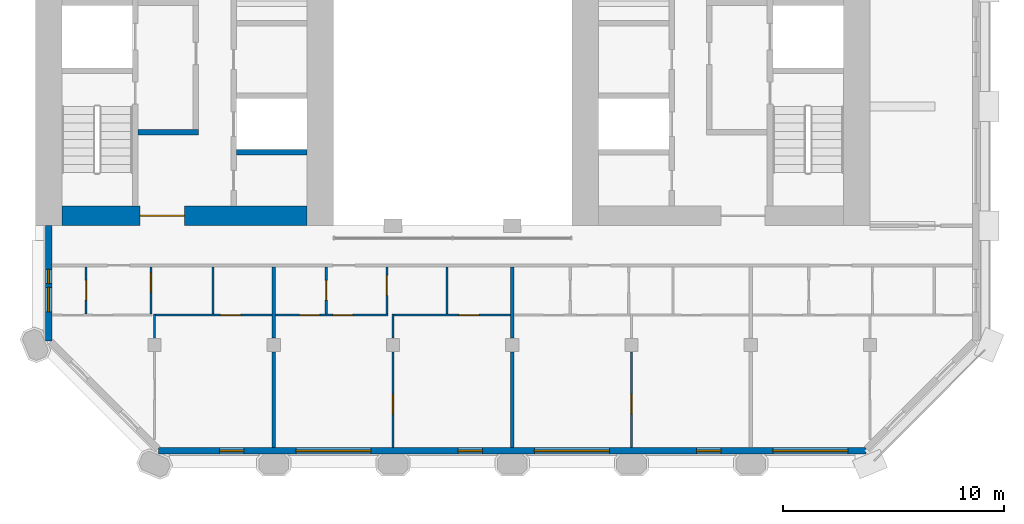
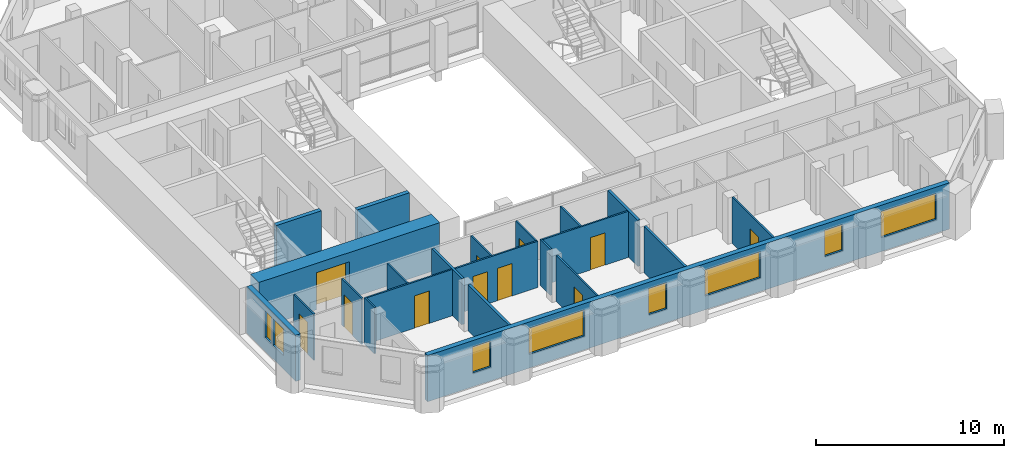
# One storey, part 4 of 13: 22 walls, 11 doors, 8 windows, 19 openings.
"""IFC4 building model written with IfcOpenShell, lengths in metres."""

from ifc_helpers import new_model, si_unit, direction, frame, frame_2d, origin, place, context, subcontext, project, spatial, rectangle, extrude, material, layer, layer_set, type_object, element, fill, save


model = new_model("IFC4")

# Units and contexts
model_context = context("Model", 3, precision=1e-05, world=origin(), true_north=direction((0.0, 1.0)))
body_context = subcontext(model_context, "Body", "Model", "MODEL_VIEW")
ifc_project = project(units=[si_unit("LENGTHUNIT", "METRE"), si_unit("AREAUNIT", "SQUARE_METRE"), si_unit("VOLUMEUNIT", "CUBIC_METRE"), si_unit("PLANEANGLEUNIT", "RADIAN"), si_unit("MASSUNIT", "GRAM", prefix="KILO")], contexts=[model_context])

# Site, building, storey
site_placement = place(None, origin())
site = spatial("IfcSite", under=ifc_project, at=site_placement, CompositionType="ELEMENT")
building_placement = place(site_placement, origin())
building = spatial("IfcBuilding", under=site, at=building_placement, Name="Tabaq Tower and Sports Hall", CompositionType="ELEMENT")
storey_placement = place(building_placement, frame((0.0, 0.0, 298.300048828125)))
storey = spatial("IfcBuildingStorey", under=building, at=storey_placement, Name="L74", CompositionType="ELEMENT", Elevation=298.300048828125)

# Wall, opening, door
ifc_material_1 = material(Name="Concrete C40/50", Category="concrete")
ifc_layer_1 = layer(ifc_material_1, 0.89990234375)
ifc_layer_set_1 = layer_set([ifc_layer_1], Name="Core wall 900 Concrete C40/50")
wall_type_1 = type_object("IfcWallType", Name="Core wall 900 Concrete C40/50", PredefinedType="SOLIDWALL", material=ifc_layer_set_1)
wall_1_placement = place(storey_placement, frame((17.699951171875, 16.64990234375, 0.0), z_axis=(0.0, 0.0, 1.0), x_axis=(-1.0, 0.0, 0.0)))
wall_1 = element("IfcWall", 1, at=wall_1_placement, inside=storey, type_object=wall_type_1, Name="Core wall W L74", PredefinedType="SOLIDWALL", context=body_context, shape_type="SweptSolid", body=[
    extrude(rectangle(XDim=11.099853515625, YDim=0.89990234375, at=frame_2d((5.5498046875, 0.0))), origin(), (0.0, 0.0, 1.0), 3.0),
])
opening_1_placement = place(wall_1_placement, frame((5.550048828125, 0.0, 0.0)))
opening_1 = element("IfcOpeningElement", 2, at=opening_1_placement, cuts=wall_1, Name="Opening PD-WL74-01", PredefinedType="OPENING", context=body_context, shape_type="SweptSolid", body=[
    extrude(rectangle(XDim=2.0, YDim=2.39990234375, at=frame_2d((1.0, 1.199951171875))), frame((0.0, 0.449951171875, 0.0), z_axis=(0.0, -1.0, 0.0), x_axis=(1.0, 0.0, 0.0)), (0.0, 0.0, 1.0), 0.89990234375),
])
ifc_material_2 = material(Name="Steel fire door", Category="steel")
door_type_1 = type_object("IfcDoorType", Name="Core entrance door 2000", OperationType="DOUBLE_DOOR_SINGLE_SWING", PredefinedType="DOOR", material=ifc_material_2)
door_1_placement = place(opening_1_placement, origin())
door_1 = element("IfcDoor", 3, at=door_1_placement, inside=storey, type_object=door_type_1, Name="Core entrance south W L74", OperationType="DOUBLE_DOOR_SINGLE_SWING", OverallHeight=2.39990234375, OverallWidth=2.0, PredefinedType="DOOR", context=body_context, shape_type="SweptSolid", body=[
    extrude(rectangle(XDim=2.0, YDim=2.39990234375, at=frame_2d((1.0, 1.199951171875))), frame((0.0, 0.02490234375, 0.0), z_axis=(0.0, -1.0, 0.0), x_axis=(1.0, 0.0, 0.0)), (0.0, 0.0, 1.0), 0.050048828125),
])
fill(opening_1, door_1)

# Wall
ifc_material_3 = material(Name="Gypsum board on steel studs", Category="steel")
ifc_layer_2 = layer(ifc_material_3, 0.10009765625)
ifc_layer_set_2 = layer_set([ifc_layer_2], Name="Partition 100 Gypsum board")
wall_type_2 = type_object("IfcWallType", Name="Partition 100 Gypsum board", PredefinedType="PARTITIONING", material=ifc_layer_set_2)
wall_2_placement = place(storey_placement, frame((10.800048828125, 11.1201171875, 0.0), z_axis=(0.0, 0.0, 1.0), x_axis=(0.0, 1.0, 0.0)))
element("IfcWall", 4, at=wall_2_placement, inside=storey, type_object=wall_type_2, Name="Partition wall L74", PredefinedType="PARTITIONING", context=body_context, shape_type="SweptSolid", body=[
    extrude(rectangle(XDim=1.079833984375, YDim=0.10009765625, at=frame_2d((0.5400390625, 0.0))), origin(), (0.0, 0.0, 1.0), 3.0),
])

# Wall, opening, door
wall_3_placement = place(storey_placement, frame((16.125, 12.14990234375, 0.0), z_axis=(0.0, 0.0, 1.0), x_axis=(-1.0, 0.0, 0.0)))
wall_3 = element("IfcWall", 5, at=wall_3_placement, inside=storey, type_object=wall_type_2, Name="Partition wall L74", PredefinedType="PARTITIONING", context=body_context, shape_type="SweptSolid", body=[
    extrude(rectangle(XDim=5.27490234375, YDim=0.10009765625, at=frame_2d((2.637451171875, 0.0))), origin(), (0.0, 0.0, 1.0), 3.0),
])
opening_2_placement = place(wall_3_placement, frame((1.429931640625, 0.0, 0.0)))
opening_2 = element("IfcOpeningElement", 6, at=opening_2_placement, cuts=wall_3, Name="Opening L74-019", PredefinedType="OPENING", context=body_context, shape_type="SweptSolid", body=[
    extrude(rectangle(XDim=0.89990234375, YDim=2.10009765625, at=frame_2d((0.449951171875, 1.050048828125))), frame((0.0, 0.050048828125, 0.0), z_axis=(0.0, -1.0, 0.0), x_axis=(1.0, 0.0, 0.0)), (0.0, 0.0, 1.0), 0.10009765625),
])
ifc_material_4 = material(Name="Timber leaf in steel frame", Category="steel")
door_type_2 = type_object("IfcDoorType", Name="Internal door 900 left hand", OperationType="SINGLE_SWING_LEFT", PredefinedType="DOOR", material=ifc_material_4)
door_2_placement = place(opening_2_placement, origin())
door_2 = element("IfcDoor", 7, at=door_2_placement, inside=storey, type_object=door_type_2, Name="Internal door L74-019", OperationType="SINGLE_SWING_LEFT", OverallHeight=2.10009765625, OverallWidth=0.89990234375, PredefinedType="DOOR", context=body_context, shape_type="SweptSolid", body=[
    extrude(rectangle(XDim=0.89990234375, YDim=2.10009765625, at=frame_2d((0.449951171875, 1.050048828125))), frame((0.0, 0.02490234375, 0.0), z_axis=(0.0, -1.0, 0.0), x_axis=(1.0, 0.0, 0.0)), (0.0, 0.0, 1.0), 0.050048828125),
])
fill(opening_2, door_2)

wall_4_placement = place(storey_placement, frame((7.699951171875, 12.199951171875, 0.0), z_axis=(0.0, 0.0, 1.0), x_axis=(0.0, 1.0, 0.0)))
wall_4 = element("IfcWall", 8, at=wall_4_placement, inside=storey, type_object=wall_type_2, Name="Partition wall L74", PredefinedType="PARTITIONING", context=body_context, shape_type="SweptSolid", body=[
    extrude(rectangle(XDim=2.125, YDim=0.10009765625, at=frame_2d((1.0625, 0.0))), origin(), (0.0, 0.0, 1.0), 3.0),
])
opening_3_placement = place(wall_4_placement, frame((0.625, 0.0, 0.0)))
opening_3 = element("IfcOpeningElement", 9, at=opening_3_placement, cuts=wall_4, Name="Opening L74-041", PredefinedType="OPENING", context=body_context, shape_type="SweptSolid", body=[
    extrude(rectangle(XDim=0.89990234375, YDim=2.10009765625, at=frame_2d((0.449951171875, 1.050048828125))), frame((0.0, 0.050048828125, 0.0), z_axis=(0.0, -1.0, 0.0), x_axis=(1.0, 0.0, 0.0)), (0.0, 0.0, 1.0), 0.10009765625),
])
ifc_material_5 = material(Name="Timber leaf in steel frame", Category="steel")
door_type_3 = type_object("IfcDoorType", Name="Internal door 900 right hand", OperationType="SINGLE_SWING_RIGHT", PredefinedType="DOOR", material=ifc_material_5)
door_3_placement = place(opening_3_placement, origin())
door_3 = element("IfcDoor", 10, at=door_3_placement, inside=storey, type_object=door_type_3, Name="Internal door L74-041", OperationType="SINGLE_SWING_RIGHT", OverallHeight=2.10009765625, OverallWidth=0.89990234375, PredefinedType="DOOR", context=body_context, shape_type="SweptSolid", body=[
    extrude(rectangle(XDim=0.89990234375, YDim=2.10009765625, at=frame_2d((0.449951171875, 1.050048828125))), frame((0.0, 0.02490234375, 0.0), z_axis=(0.0, -1.0, 0.0), x_axis=(1.0, 0.0, 0.0)), (0.0, 0.0, 1.0), 0.050048828125),
])
fill(opening_3, door_3)

wall_5_placement = place(storey_placement, frame((10.639892578125, 12.199951171875, 0.0), z_axis=(0.0, 0.0, 1.0), x_axis=(0.0, 1.0, 0.0)))
wall_5 = element("IfcWall", 11, at=wall_5_placement, inside=storey, type_object=wall_type_2, Name="Partition wall L74", PredefinedType="PARTITIONING", context=body_context, shape_type="SweptSolid", body=[
    extrude(rectangle(XDim=2.125, YDim=0.10009765625, at=frame_2d((1.0625, 0.0))), origin(), (0.0, 0.0, 1.0), 3.0),
])
opening_4_placement = place(wall_5_placement, frame((0.97509765625, 0.0, 0.0)))
opening_4 = element("IfcOpeningElement", 12, at=opening_4_placement, cuts=wall_5, Name="Opening L74-020", PredefinedType="OPENING", context=body_context, shape_type="SweptSolid", body=[
    extrude(rectangle(XDim=0.89990234375, YDim=2.10009765625, at=frame_2d((0.449951171875, 1.050048828125))), frame((0.0, 0.050048828125, 0.0), z_axis=(0.0, -1.0, 0.0), x_axis=(1.0, 0.0, 0.0)), (0.0, 0.0, 1.0), 0.10009765625),
])
door_4_placement = place(opening_4_placement, origin())
door_4 = element("IfcDoor", 13, at=door_4_placement, inside=storey, type_object=door_type_3, Name="Internal door L74-020", OperationType="SINGLE_SWING_RIGHT", OverallHeight=2.10009765625, OverallWidth=0.89990234375, PredefinedType="DOOR", context=body_context, shape_type="SweptSolid", body=[
    extrude(rectangle(XDim=0.89990234375, YDim=2.10009765625, at=frame_2d((0.449951171875, 1.050048828125))), frame((0.0, 0.02490234375, 0.0), z_axis=(0.0, -1.0, 0.0), x_axis=(1.0, 0.0, 0.0)), (0.0, 0.0, 1.0), 0.050048828125),
])
fill(opening_4, door_4)

# Wall
wall_6_placement = place(storey_placement, frame((13.43994140625, 12.199951171875, 0.0), z_axis=(0.0, 0.0, 1.0), x_axis=(0.0, 1.0, 0.0)))
element("IfcWall", 14, at=wall_6_placement, inside=storey, type_object=wall_type_2, Name="Partition wall L74", PredefinedType="PARTITIONING", context=body_context, shape_type="SweptSolid", body=[
    extrude(rectangle(XDim=2.125, YDim=0.10009765625, at=frame_2d((1.0625, 0.0))), origin(), (0.0, 0.0, 1.0), 3.0),
])

# Wall, opening, door
wall_7_placement = place(storey_placement, frame((21.60009765625, 6.15087890625, 0.0), z_axis=(0.0, 0.0, 1.0), x_axis=(0.0, 1.0, 0.0)))
wall_7 = element("IfcWall", 15, at=wall_7_placement, inside=storey, type_object=wall_type_2, Name="Partition wall L74", PredefinedType="PARTITIONING", context=body_context, shape_type="SweptSolid", body=[
    extrude(rectangle(XDim=4.3291015625, YDim=0.10009765625, at=frame_2d((2.16455078125, 0.0))), origin(), (0.0, 0.0, 1.0), 3.0),
])
opening_5_placement = place(wall_7_placement, frame((1.51806640625, 0.0, 0.0)))
opening_5 = element("IfcOpeningElement", 16, at=opening_5_placement, cuts=wall_7, Name="Opening L74-042", PredefinedType="OPENING", context=body_context, shape_type="SweptSolid", body=[
    extrude(rectangle(XDim=0.89990234375, YDim=2.10009765625, at=frame_2d((0.449951171875, 1.050048828125))), frame((0.0, 0.050048828125, 0.0), z_axis=(0.0, -1.0, 0.0), x_axis=(1.0, 0.0, 0.0)), (0.0, 0.0, 1.0), 0.10009765625),
])
door_5_placement = place(opening_5_placement, origin())
door_5 = element("IfcDoor", 17, at=door_5_placement, inside=storey, type_object=door_type_3, Name="Internal door L74-042", OperationType="SINGLE_SWING_RIGHT", OverallHeight=2.10009765625, OverallWidth=0.89990234375, PredefinedType="DOOR", context=body_context, shape_type="SweptSolid", body=[
    extrude(rectangle(XDim=0.89990234375, YDim=2.10009765625, at=frame_2d((0.449951171875, 1.050048828125))), frame((0.0, 0.02490234375, 0.0), z_axis=(0.0, -1.0, 0.0), x_axis=(1.0, 0.0, 0.0)), (0.0, 0.0, 1.0), 0.050048828125),
])
fill(opening_5, door_5)

# Wall
wall_8_placement = place(storey_placement, frame((21.60009765625, 11.1201171875, 0.0), z_axis=(0.0, 0.0, 1.0), x_axis=(0.0, 1.0, 0.0)))
element("IfcWall", 18, at=wall_8_placement, inside=storey, type_object=wall_type_2, Name="Partition wall L74", PredefinedType="PARTITIONING", context=body_context, shape_type="SweptSolid", body=[
    extrude(rectangle(XDim=1.079833984375, YDim=0.10009765625, at=frame_2d((0.5400390625, 0.0))), origin(), (0.0, 0.0, 1.0), 3.0),
])

# Wall, openings, doors
wall_9_placement = place(storey_placement, frame((21.3720703125, 12.14990234375, 0.0), z_axis=(0.0, 0.0, 1.0), x_axis=(-1.0, 0.0, 0.0)))
wall_9 = element("IfcWall", 19, at=wall_9_placement, inside=storey, type_object=wall_type_2, Name="Partition wall L74", PredefinedType="PARTITIONING", context=body_context, shape_type="SweptSolid", body=[
    extrude(rectangle(XDim=5.09716796875, YDim=0.10009765625, at=frame_2d((2.548583984375, 0.0))), origin(), (0.0, 0.0, 1.0), 3.0),
])
opening_6_placement = place(wall_9_placement, frame((3.10009765625, 0.0, 0.0)))
opening_6 = element("IfcOpeningElement", 20, at=opening_6_placement, cuts=wall_9, Name="Opening L74-043", PredefinedType="OPENING", context=body_context, shape_type="SweptSolid", body=[
    extrude(rectangle(XDim=0.89990234375, YDim=2.10009765625, at=frame_2d((0.449951171875, 1.050048828125))), frame((0.0, 0.050048828125, 0.0), z_axis=(0.0, -1.0, 0.0), x_axis=(1.0, 0.0, 0.0)), (0.0, 0.0, 1.0), 0.10009765625),
])
opening_7_placement = place(wall_9_placement, frame((1.60009765625, 0.0, 0.0)))
opening_7 = element("IfcOpeningElement", 21, at=opening_7_placement, cuts=wall_9, Name="Opening L74-056", PredefinedType="OPENING", context=body_context, shape_type="SweptSolid", body=[
    extrude(rectangle(XDim=0.89990234375, YDim=2.10009765625, at=frame_2d((0.449951171875, 1.050048828125))), frame((0.0, 0.050048828125, 0.0), z_axis=(0.0, -1.0, 0.0), x_axis=(1.0, 0.0, 0.0)), (0.0, 0.0, 1.0), 0.10009765625),
])
door_6_placement = place(opening_7_placement, origin())
door_6 = element("IfcDoor", 22, at=door_6_placement, inside=storey, type_object=door_type_2, Name="Internal door L74-056", OperationType="SINGLE_SWING_LEFT", OverallHeight=2.10009765625, OverallWidth=0.89990234375, PredefinedType="DOOR", context=body_context, shape_type="SweptSolid", body=[
    extrude(rectangle(XDim=0.89990234375, YDim=2.10009765625, at=frame_2d((0.449951171875, 1.050048828125))), frame((0.0, 0.02490234375, 0.0), z_axis=(0.0, -1.0, 0.0), x_axis=(1.0, 0.0, 0.0)), (0.0, 0.0, 1.0), 0.050048828125),
])
fill(opening_7, door_6)
door_7_placement = place(opening_6_placement, origin())
door_7 = element("IfcDoor", 23, at=door_7_placement, inside=storey, type_object=door_type_3, Name="Internal door L74-043", OperationType="SINGLE_SWING_RIGHT", OverallHeight=2.10009765625, OverallWidth=0.89990234375, PredefinedType="DOOR", context=body_context, shape_type="SweptSolid", body=[
    extrude(rectangle(XDim=0.89990234375, YDim=2.10009765625, at=frame_2d((0.449951171875, 1.050048828125))), frame((0.0, 0.02490234375, 0.0), z_axis=(0.0, -1.0, 0.0), x_axis=(1.0, 0.0, 0.0)), (0.0, 0.0, 1.0), 0.050048828125),
])
fill(opening_6, door_7)

# Wall, opening, door
wall_10_placement = place(storey_placement, frame((26.925048828125, 12.14990234375, 0.0), z_axis=(0.0, 0.0, 1.0), x_axis=(-1.0, 0.0, 0.0)))
wall_10 = element("IfcWall", 24, at=wall_10_placement, inside=storey, type_object=wall_type_2, Name="Partition wall L74", PredefinedType="PARTITIONING", context=body_context, shape_type="SweptSolid", body=[
    extrude(rectangle(XDim=5.275146484375, YDim=0.10009765625, at=frame_2d((2.6376953125, 0.0))), origin(), (0.0, 0.0, 1.0), 3.0),
])
opening_8_placement = place(wall_10_placement, frame((1.441650390625, 0.0, 0.0)))
opening_8 = element("IfcOpeningElement", 25, at=opening_8_placement, cuts=wall_10, Name="Opening L74-021", PredefinedType="OPENING", context=body_context, shape_type="SweptSolid", body=[
    extrude(rectangle(XDim=0.89990234375, YDim=2.10009765625, at=frame_2d((0.449951171875, 1.050048828125))), frame((0.0, 0.050048828125, 0.0), z_axis=(0.0, -1.0, 0.0), x_axis=(1.0, 0.0, 0.0)), (0.0, 0.0, 1.0), 0.10009765625),
])
door_8_placement = place(opening_8_placement, origin())
door_8 = element("IfcDoor", 26, at=door_8_placement, inside=storey, type_object=door_type_2, Name="Internal door L74-021", OperationType="SINGLE_SWING_LEFT", OverallHeight=2.10009765625, OverallWidth=0.89990234375, PredefinedType="DOOR", context=body_context, shape_type="SweptSolid", body=[
    extrude(rectangle(XDim=0.89990234375, YDim=2.10009765625, at=frame_2d((0.449951171875, 1.050048828125))), frame((0.0, 0.02490234375, 0.0), z_axis=(0.0, -1.0, 0.0), x_axis=(1.0, 0.0, 0.0)), (0.0, 0.0, 1.0), 0.050048828125),
])
fill(opening_8, door_8)

wall_11_placement = place(storey_placement, frame((18.572021484375, 12.199951171875, 0.0), z_axis=(0.0, 0.0, 1.0), x_axis=(0.0, 1.0, 0.0)))
wall_11 = element("IfcWall", 27, at=wall_11_placement, inside=storey, type_object=wall_type_2, Name="Partition wall L74", PredefinedType="PARTITIONING", context=body_context, shape_type="SweptSolid", body=[
    extrude(rectangle(XDim=2.125, YDim=0.10009765625, at=frame_2d((1.0625, 0.0))), origin(), (0.0, 0.0, 1.0), 3.0),
])
opening_9_placement = place(wall_11_placement, frame((0.625, 0.0, 0.0)))
opening_9 = element("IfcOpeningElement", 28, at=opening_9_placement, cuts=wall_11, Name="Opening L74-044", PredefinedType="OPENING", context=body_context, shape_type="SweptSolid", body=[
    extrude(rectangle(XDim=0.89990234375, YDim=2.10009765625, at=frame_2d((0.449951171875, 1.050048828125))), frame((0.0, 0.050048828125, 0.0), z_axis=(0.0, -1.0, 0.0), x_axis=(1.0, 0.0, 0.0)), (0.0, 0.0, 1.0), 0.10009765625),
])
door_9_placement = place(opening_9_placement, origin())
door_9 = element("IfcDoor", 29, at=door_9_placement, inside=storey, type_object=door_type_2, Name="Internal door L74-044", OperationType="SINGLE_SWING_LEFT", OverallHeight=2.10009765625, OverallWidth=0.89990234375, PredefinedType="DOOR", context=body_context, shape_type="SweptSolid", body=[
    extrude(rectangle(XDim=0.89990234375, YDim=2.10009765625, at=frame_2d((0.449951171875, 1.050048828125))), frame((0.0, 0.02490234375, 0.0), z_axis=(0.0, -1.0, 0.0), x_axis=(1.0, 0.0, 0.0)), (0.0, 0.0, 1.0), 0.050048828125),
])
fill(opening_9, door_9)

wall_12_placement = place(storey_placement, frame((21.322021484375, 12.199951171875, 0.0), z_axis=(0.0, 0.0, 1.0), x_axis=(0.0, 1.0, 0.0)))
wall_12 = element("IfcWall", 30, at=wall_12_placement, inside=storey, type_object=wall_type_2, Name="Partition wall L74", PredefinedType="PARTITIONING", context=body_context, shape_type="SweptSolid", body=[
    extrude(rectangle(XDim=2.125, YDim=0.10009765625, at=frame_2d((1.0625, 0.0))), origin(), (0.0, 0.0, 1.0), 3.0),
])
opening_10_placement = place(wall_12_placement, frame((0.843994140625, 0.0, 0.0)))
opening_10 = element("IfcOpeningElement", 31, at=opening_10_placement, cuts=wall_12, Name="Opening L74-022", PredefinedType="OPENING", context=body_context, shape_type="SweptSolid", body=[
    extrude(rectangle(XDim=0.89990234375, YDim=2.10009765625, at=frame_2d((0.449951171875, 1.050048828125))), frame((0.0, 0.050048828125, 0.0), z_axis=(0.0, -1.0, 0.0), x_axis=(1.0, 0.0, 0.0)), (0.0, 0.0, 1.0), 0.10009765625),
])
door_10_placement = place(opening_10_placement, origin())
door_10 = element("IfcDoor", 32, at=door_10_placement, inside=storey, type_object=door_type_2, Name="Internal door L74-022", OperationType="SINGLE_SWING_LEFT", OverallHeight=2.10009765625, OverallWidth=0.89990234375, PredefinedType="DOOR", context=body_context, shape_type="SweptSolid", body=[
    extrude(rectangle(XDim=0.89990234375, YDim=2.10009765625, at=frame_2d((0.449951171875, 1.050048828125))), frame((0.0, 0.02490234375, 0.0), z_axis=(0.0, -1.0, 0.0), x_axis=(1.0, 0.0, 0.0)), (0.0, 0.0, 1.0), 0.050048828125),
])
fill(opening_10, door_10)

# Wall
wall_13_placement = place(storey_placement, frame((24.050048828125, 12.199951171875, 0.0), z_axis=(0.0, 0.0, 1.0), x_axis=(0.0, 1.0, 0.0)))
element("IfcWall", 33, at=wall_13_placement, inside=storey, type_object=wall_type_2, Name="Partition wall L74", PredefinedType="PARTITIONING", context=body_context, shape_type="SweptSolid", body=[
    extrude(rectangle(XDim=2.125, YDim=0.10009765625, at=frame_2d((1.0625, 0.0))), origin(), (0.0, 0.0, 1.0), 3.0),
])

# Wall, opening, door
wall_14_placement = place(storey_placement, frame((32.39990234375, 6.15087890625, 0.0), z_axis=(0.0, 0.0, 1.0), x_axis=(0.0, 1.0, 0.0)))
wall_14 = element("IfcWall", 34, at=wall_14_placement, inside=storey, type_object=wall_type_2, Name="Partition wall L74", PredefinedType="PARTITIONING", context=body_context, shape_type="SweptSolid", body=[
    extrude(rectangle(XDim=4.3291015625, YDim=0.10009765625, at=frame_2d((2.16455078125, 0.0))), origin(), (0.0, 0.0, 1.0), 3.0),
])
opening_11_placement = place(wall_14_placement, frame((1.51806640625, 0.0, 0.0)))
opening_11 = element("IfcOpeningElement", 35, at=opening_11_placement, cuts=wall_14, Name="Opening L74-045", PredefinedType="OPENING", context=body_context, shape_type="SweptSolid", body=[
    extrude(rectangle(XDim=0.89990234375, YDim=2.10009765625, at=frame_2d((0.449951171875, 1.050048828125))), frame((0.0, 0.050048828125, 0.0), z_axis=(0.0, -1.0, 0.0), x_axis=(1.0, 0.0, 0.0)), (0.0, 0.0, 1.0), 0.10009765625),
])
door_11_placement = place(opening_11_placement, origin())
door_11 = element("IfcDoor", 36, at=door_11_placement, inside=storey, type_object=door_type_2, Name="Internal door L74-045", OperationType="SINGLE_SWING_LEFT", OverallHeight=2.10009765625, OverallWidth=0.89990234375, PredefinedType="DOOR", context=body_context, shape_type="SweptSolid", body=[
    extrude(rectangle(XDim=0.89990234375, YDim=2.10009765625, at=frame_2d((0.449951171875, 1.050048828125))), frame((0.0, 0.02490234375, 0.0), z_axis=(0.0, -1.0, 0.0), x_axis=(1.0, 0.0, 0.0)), (0.0, 0.0, 1.0), 0.050048828125),
])
fill(opening_11, door_11)

# Walls
ifc_material_6 = material(Name="Blockwork", Category="masonry")
ifc_layer_3 = layer(ifc_material_6, 0.14990234375)
ifc_layer_set_3 = layer_set([ifc_layer_3], Name="Separating wall 150 Blockwork")
wall_type_3 = type_object("IfcWallType", Name="Separating wall 150 Blockwork", PredefinedType="PARTITIONING", material=ifc_layer_set_3)
wall_15_placement = place(storey_placement, frame((16.199951171875, 6.15087890625, 0.0), z_axis=(0.0, 0.0, 1.0), x_axis=(0.0, 1.0, 0.0)))
element("IfcWall", 37, at=wall_15_placement, inside=storey, type_object=wall_type_3, Name="Separating wall L74", PredefinedType="PARTITIONING", context=body_context, shape_type="SweptSolid", body=[
    extrude(rectangle(XDim=4.3291015625, YDim=0.14990234375, at=frame_2d((2.16455078125, 0.0))), origin(), (0.0, 0.0, 1.0), 3.0),
])
wall_16_placement = place(storey_placement, frame((16.199951171875, 11.1201171875, 0.0), z_axis=(0.0, 0.0, 1.0), x_axis=(0.0, 1.0, 0.0)))
element("IfcWall", 38, at=wall_16_placement, inside=storey, type_object=wall_type_3, Name="Separating wall L74", PredefinedType="PARTITIONING", context=body_context, shape_type="SweptSolid", body=[
    extrude(rectangle(XDim=3.204833984375, YDim=0.14990234375, at=frame_2d((1.6025390625, 0.0))), origin(), (0.0, 0.0, 1.0), 3.0),
])
wall_17_placement = place(storey_placement, frame((27.0, 6.15087890625, 0.0), z_axis=(0.0, 0.0, 1.0), x_axis=(0.0, 1.0, 0.0)))
element("IfcWall", 39, at=wall_17_placement, inside=storey, type_object=wall_type_3, Name="Separating wall L74", PredefinedType="PARTITIONING", context=body_context, shape_type="SweptSolid", body=[
    extrude(rectangle(XDim=4.3291015625, YDim=0.14990234375, at=frame_2d((2.16455078125, 0.0))), origin(), (0.0, 0.0, 1.0), 3.0),
])
wall_18_placement = place(storey_placement, frame((27.0, 11.1201171875, 0.0), z_axis=(0.0, 0.0, 1.0), x_axis=(0.0, 1.0, 0.0)))
element("IfcWall", 40, at=wall_18_placement, inside=storey, type_object=wall_type_3, Name="Separating wall L74", PredefinedType="PARTITIONING", context=body_context, shape_type="SweptSolid", body=[
    extrude(rectangle(XDim=3.204833984375, YDim=0.14990234375, at=frame_2d((1.6025390625, 0.0))), origin(), (0.0, 0.0, 1.0), 3.0),
])
ifc_material_7 = material(Name="Concrete C40/50", Category="concrete")
ifc_layer_4 = layer(ifc_material_7, 0.25)
ifc_layer_set_4 = layer_set([ifc_layer_4], Name="Shaft and stair wall 250 Concrete C40/50")
wall_type_4 = type_object("IfcWallType", Name="Shaft and stair wall 250 Concrete C40/50", PredefinedType="SOLIDWALL", material=ifc_layer_set_4)
wall_19_placement = place(storey_placement, frame((10.050048828125, 20.425048828125, 0.0), z_axis=(0.0, 0.0, 1.0), x_axis=(1.0, 0.0, 0.0)))
element("IfcWall", 41, at=wall_19_placement, inside=storey, type_object=wall_type_4, Name="Fire-fighting lobby wall W L74", PredefinedType="SOLIDWALL", context=body_context, shape_type="SweptSolid", body=[
    extrude(rectangle(XDim=2.75, YDim=0.25, at=frame_2d((1.375, 0.0))), origin(), (0.0, 0.0, 1.0), 3.0),
])
wall_20_placement = place(storey_placement, frame((14.5, 19.52490234375, 0.0), z_axis=(0.0, 0.0, 1.0), x_axis=(1.0, 0.0, 0.0)))
element("IfcWall", 42, at=wall_20_placement, inside=storey, type_object=wall_type_4, Name="Shaft wall W L74", PredefinedType="SOLIDWALL", context=body_context, shape_type="SweptSolid", body=[
    extrude(rectangle(XDim=3.199951171875, YDim=0.25, at=frame_2d((1.60009765625, 0.0))), origin(), (0.0, 0.0, 1.0), 3.0),
])

# Wall, openings, windows
ifc_material_8 = material(Name="White precast concrete C60/75", Category="concrete")
ifc_layer_5 = layer(ifc_material_8, 0.300048828125)
ifc_layer_set_5 = layer_set([ifc_layer_5], Name="White precast concrete C60/75 external wall 300")
wall_type_5 = type_object("IfcWallType", Name="White precast concrete C60/75 external wall 300", PredefinedType="SOLIDWALL", material=ifc_layer_set_5)
wall_21_placement = place(storey_placement, frame((10.986328125, 6.0, 0.0), z_axis=(0.0, 0.0, 1.0), x_axis=(1.0, 0.0, 0.0)))
wall_21 = element("IfcWall", 43, at=wall_21_placement, inside=storey, type_object=wall_type_5, Name="External Wall L74 S", PredefinedType="SOLIDWALL", context=body_context, shape_type="SweptSolid", body=[
    extrude(rectangle(XDim=32.02734375, YDim=0.300048828125, at=frame_2d((16.013671875, 0.0))), origin(), (0.0, 0.0, 1.0), 3.0),
])
opening_12_placement = place(wall_21_placement, frame((2.763671875, 0.0, 0.89990234375)))
opening_12 = element("IfcOpeningElement", 44, at=opening_12_placement, cuts=wall_21, Name="Opening W1B", PredefinedType="OPENING", context=body_context, shape_type="SweptSolid", body=[
    extrude(rectangle(XDim=1.10009765625, YDim=1.699951171875, at=frame_2d((0.550048828125, 0.85009765625))), frame((0.0, 0.16015625, 0.0), z_axis=(0.0, -1.0, 0.0), x_axis=(1.0, 0.0, 0.0)), (0.0, 0.0, 1.0), 0.320068359375),
])
opening_13_placement = place(wall_21_placement, frame((6.213623046875, 0.0, 0.89990234375)))
opening_13 = element("IfcOpeningElement", 45, at=opening_13_placement, cuts=wall_21, Name="Opening W1A", PredefinedType="OPENING", context=body_context, shape_type="SweptSolid", body=[
    extrude(rectangle(XDim=3.39990234375, YDim=1.699951171875, at=frame_2d((1.699951171875, 0.85009765625))), frame((0.0, 0.16015625, 0.0), z_axis=(0.0, -1.0, 0.0), x_axis=(1.0, 0.0, 0.0)), (0.0, 0.0, 1.0), 0.320068359375),
])
opening_14_placement = place(wall_21_placement, frame((13.563720703125, 0.0, 0.89990234375)))
opening_14 = element("IfcOpeningElement", 46, at=opening_14_placement, cuts=wall_21, Name="Opening W1B", PredefinedType="OPENING", context=body_context, shape_type="SweptSolid", body=[
    extrude(rectangle(XDim=1.10009765625, YDim=1.699951171875, at=frame_2d((0.550048828125, 0.85009765625))), frame((0.0, 0.16015625, 0.0), z_axis=(0.0, -1.0, 0.0), x_axis=(1.0, 0.0, 0.0)), (0.0, 0.0, 1.0), 0.320068359375),
])
opening_15_placement = place(wall_21_placement, frame((17.013671875, 0.0, 0.89990234375)))
opening_15 = element("IfcOpeningElement", 47, at=opening_15_placement, cuts=wall_21, Name="Opening W1A", PredefinedType="OPENING", context=body_context, shape_type="SweptSolid", body=[
    extrude(rectangle(XDim=3.39990234375, YDim=1.699951171875, at=frame_2d((1.699951171875, 0.85009765625))), frame((0.0, 0.16015625, 0.0), z_axis=(0.0, -1.0, 0.0), x_axis=(1.0, 0.0, 0.0)), (0.0, 0.0, 1.0), 0.320068359375),
])
opening_16_placement = place(wall_21_placement, frame((24.363525390625, 0.0, 0.89990234375)))
opening_16 = element("IfcOpeningElement", 48, at=opening_16_placement, cuts=wall_21, Name="Opening W1B", PredefinedType="OPENING", context=body_context, shape_type="SweptSolid", body=[
    extrude(rectangle(XDim=1.10009765625, YDim=1.699951171875, at=frame_2d((0.550048828125, 0.85009765625))), frame((0.0, 0.16015625, 0.0), z_axis=(0.0, -1.0, 0.0), x_axis=(1.0, 0.0, 0.0)), (0.0, 0.0, 1.0), 0.320068359375),
])
opening_17_placement = place(wall_21_placement, frame((27.813720703125, 0.0, 0.89990234375)))
opening_17 = element("IfcOpeningElement", 49, at=opening_17_placement, cuts=wall_21, Name="Opening W1A", PredefinedType="OPENING", context=body_context, shape_type="SweptSolid", body=[
    extrude(rectangle(XDim=3.39990234375, YDim=1.699951171875, at=frame_2d((1.699951171875, 0.85009765625))), frame((0.0, 0.16015625, 0.0), z_axis=(0.0, -1.0, 0.0), x_axis=(1.0, 0.0, 0.0)), (0.0, 0.0, 1.0), 0.320068359375),
])
ifc_material_9 = material(Name="Aluminium framed clear glazing", Category="aluminium")
window_type_1 = type_object("IfcWindowType", Name="Window W1A", PartitioningType="SINGLE_PANEL", PredefinedType="WINDOW", material=ifc_material_9)
window_1_placement = place(opening_13_placement, origin())
window_1 = element("IfcWindow", 50, at=window_1_placement, inside=storey, type_object=window_type_1, Name="Window W1A L74", OverallHeight=1.699951171875, OverallWidth=3.39990234375, PartitioningType="SINGLE_PANEL", PredefinedType="WINDOW", context=body_context, shape_type="SweptSolid", body=[
    extrude(rectangle(XDim=3.39990234375, YDim=1.699951171875, at=frame_2d((1.699951171875, 0.85009765625))), frame((0.0, 0.030029296875, 0.0), z_axis=(0.0, -1.0, 0.0), x_axis=(1.0, 0.0, 0.0)), (0.0, 0.0, 1.0), 0.06005859375),
])
fill(opening_13, window_1)
window_2_placement = place(opening_15_placement, origin())
window_2 = element("IfcWindow", 51, at=window_2_placement, inside=storey, type_object=window_type_1, Name="Window W1A L74", OverallHeight=1.699951171875, OverallWidth=3.39990234375, PartitioningType="SINGLE_PANEL", PredefinedType="WINDOW", context=body_context, shape_type="SweptSolid", body=[
    extrude(rectangle(XDim=3.39990234375, YDim=1.699951171875, at=frame_2d((1.699951171875, 0.85009765625))), frame((0.0, 0.030029296875, 0.0), z_axis=(0.0, -1.0, 0.0), x_axis=(1.0, 0.0, 0.0)), (0.0, 0.0, 1.0), 0.06005859375),
])
fill(opening_15, window_2)
window_3_placement = place(opening_17_placement, origin())
window_3 = element("IfcWindow", 52, at=window_3_placement, inside=storey, type_object=window_type_1, Name="Window W1A L74", OverallHeight=1.699951171875, OverallWidth=3.39990234375, PartitioningType="SINGLE_PANEL", PredefinedType="WINDOW", context=body_context, shape_type="SweptSolid", body=[
    extrude(rectangle(XDim=3.39990234375, YDim=1.699951171875, at=frame_2d((1.699951171875, 0.85009765625))), frame((0.0, 0.030029296875, 0.0), z_axis=(0.0, -1.0, 0.0), x_axis=(1.0, 0.0, 0.0)), (0.0, 0.0, 1.0), 0.06005859375),
])
fill(opening_17, window_3)
ifc_material_10 = material(Name="Aluminium framed clear glazing", Category="aluminium")
window_type_2 = type_object("IfcWindowType", Name="Window W1B", PartitioningType="SINGLE_PANEL", PredefinedType="WINDOW", material=ifc_material_10)
window_4_placement = place(opening_12_placement, origin())
window_4 = element("IfcWindow", 53, at=window_4_placement, inside=storey, type_object=window_type_2, Name="Window W1B L74", OverallHeight=1.699951171875, OverallWidth=1.10009765625, PartitioningType="SINGLE_PANEL", PredefinedType="WINDOW", context=body_context, shape_type="SweptSolid", body=[
    extrude(rectangle(XDim=1.10009765625, YDim=1.699951171875, at=frame_2d((0.550048828125, 0.85009765625))), frame((0.0, 0.030029296875, 0.0), z_axis=(0.0, -1.0, 0.0), x_axis=(1.0, 0.0, 0.0)), (0.0, 0.0, 1.0), 0.06005859375),
])
fill(opening_12, window_4)
window_5_placement = place(opening_14_placement, origin())
window_5 = element("IfcWindow", 54, at=window_5_placement, inside=storey, type_object=window_type_2, Name="Window W1B L74", OverallHeight=1.699951171875, OverallWidth=1.10009765625, PartitioningType="SINGLE_PANEL", PredefinedType="WINDOW", context=body_context, shape_type="SweptSolid", body=[
    extrude(rectangle(XDim=1.10009765625, YDim=1.699951171875, at=frame_2d((0.550048828125, 0.85009765625))), frame((0.0, 0.030029296875, 0.0), z_axis=(0.0, -1.0, 0.0), x_axis=(1.0, 0.0, 0.0)), (0.0, 0.0, 1.0), 0.06005859375),
])
fill(opening_14, window_5)
window_6_placement = place(opening_16_placement, origin())
window_6 = element("IfcWindow", 55, at=window_6_placement, inside=storey, type_object=window_type_2, Name="Window W1B L74", OverallHeight=1.699951171875, OverallWidth=1.10009765625, PartitioningType="SINGLE_PANEL", PredefinedType="WINDOW", context=body_context, shape_type="SweptSolid", body=[
    extrude(rectangle(XDim=1.10009765625, YDim=1.699951171875, at=frame_2d((0.550048828125, 0.85009765625))), frame((0.0, 0.030029296875, 0.0), z_axis=(0.0, -1.0, 0.0), x_axis=(1.0, 0.0, 0.0)), (0.0, 0.0, 1.0), 0.06005859375),
])
fill(opening_16, window_6)

wall_22_placement = place(storey_placement, frame((6.0, 16.199951171875, 0.0), z_axis=(0.0, 0.0, 1.0), x_axis=(0.0, -1.0, 0.0)))
wall_22 = element("IfcWall", 56, at=wall_22_placement, inside=storey, type_object=wall_type_5, Name="External Wall L74 W", PredefinedType="SOLIDWALL", context=body_context, shape_type="SweptSolid", body=[
    extrude(rectangle(XDim=5.213623046875, YDim=0.300048828125, at=frame_2d((2.60693359375, 0.0))), origin(), (0.0, 0.0, 1.0), 3.0),
])
opening_18_placement = place(wall_22_placement, frame((1.97509765625, 0.0, 0.89990234375)))
opening_18 = element("IfcOpeningElement", 57, at=opening_18_placement, cuts=wall_22, Name="Opening W1C", PredefinedType="OPENING", context=body_context, shape_type="SweptSolid", body=[
    extrude(rectangle(XDim=0.64990234375, YDim=1.699951171875, at=frame_2d((0.324951171875, 0.85009765625))), frame((0.0, 0.16015625, 0.0), z_axis=(0.0, -1.0, 0.0), x_axis=(1.0, 0.0, 0.0)), (0.0, 0.0, 1.0), 0.320068359375),
])
opening_19_placement = place(wall_22_placement, frame((2.800048828125, 0.0, 0.89990234375)))
opening_19 = element("IfcOpeningElement", 58, at=opening_19_placement, cuts=wall_22, Name="Opening W1B", PredefinedType="OPENING", context=body_context, shape_type="SweptSolid", body=[
    extrude(rectangle(XDim=1.10009765625, YDim=1.699951171875, at=frame_2d((0.550048828125, 0.85009765625))), frame((0.0, 0.16015625, 0.0), z_axis=(0.0, -1.0, 0.0), x_axis=(1.0, 0.0, 0.0)), (0.0, 0.0, 1.0), 0.320068359375),
])
window_7_placement = place(opening_19_placement, origin())
window_7 = element("IfcWindow", 59, at=window_7_placement, inside=storey, type_object=window_type_2, Name="Window W1B L74", OverallHeight=1.699951171875, OverallWidth=1.10009765625, PartitioningType="SINGLE_PANEL", PredefinedType="WINDOW", context=body_context, shape_type="SweptSolid", body=[
    extrude(rectangle(XDim=1.10009765625, YDim=1.699951171875, at=frame_2d((0.550048828125, 0.85009765625))), frame((0.0, 0.030029296875, 0.0), z_axis=(0.0, -1.0, 0.0), x_axis=(1.0, 0.0, 0.0)), (0.0, 0.0, 1.0), 0.06005859375),
])
fill(opening_19, window_7)
ifc_material_11 = material(Name="Aluminium framed clear glazing", Category="aluminium")
window_type_3 = type_object("IfcWindowType", Name="Window W1C", PartitioningType="SINGLE_PANEL", PredefinedType="WINDOW", material=ifc_material_11)
window_8_placement = place(opening_18_placement, origin())
window_8 = element("IfcWindow", 60, at=window_8_placement, inside=storey, type_object=window_type_3, Name="Window W1C L74", OverallHeight=1.699951171875, OverallWidth=0.64990234375, PartitioningType="SINGLE_PANEL", PredefinedType="WINDOW", context=body_context, shape_type="SweptSolid", body=[
    extrude(rectangle(XDim=0.64990234375, YDim=1.699951171875, at=frame_2d((0.324951171875, 0.85009765625))), frame((0.0, 0.030029296875, 0.0), z_axis=(0.0, -1.0, 0.0), x_axis=(1.0, 0.0, 0.0)), (0.0, 0.0, 1.0), 0.06005859375),
])
fill(opening_18, window_8)

save(model, "model.ifc")
